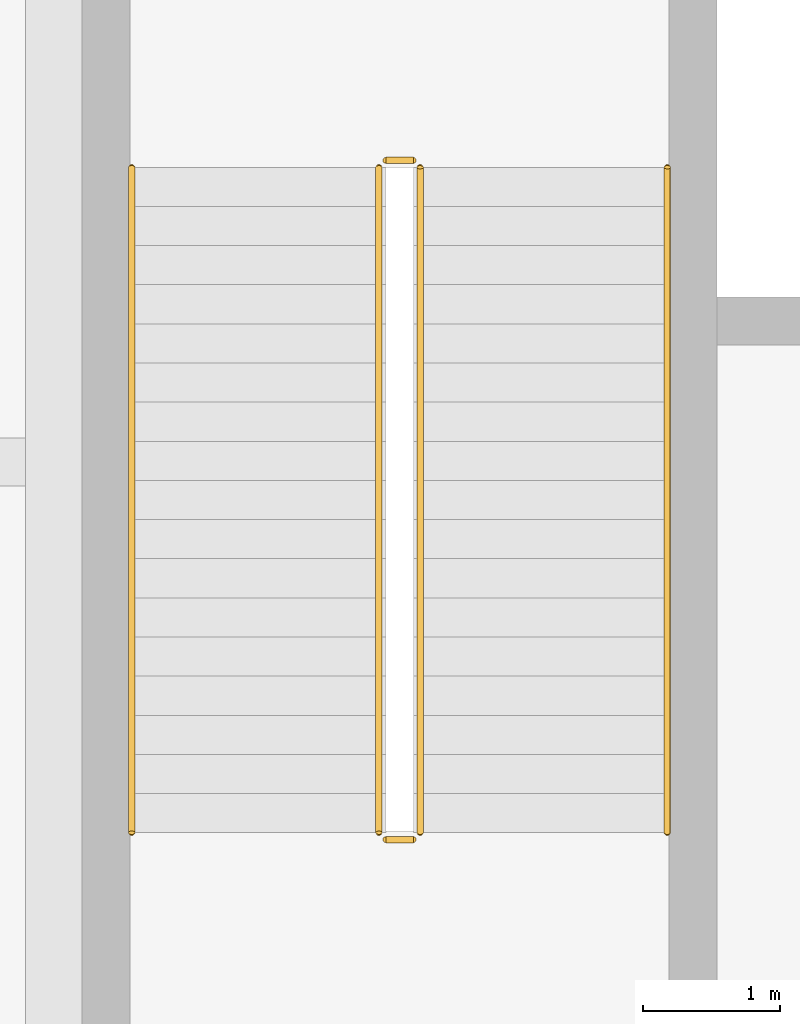
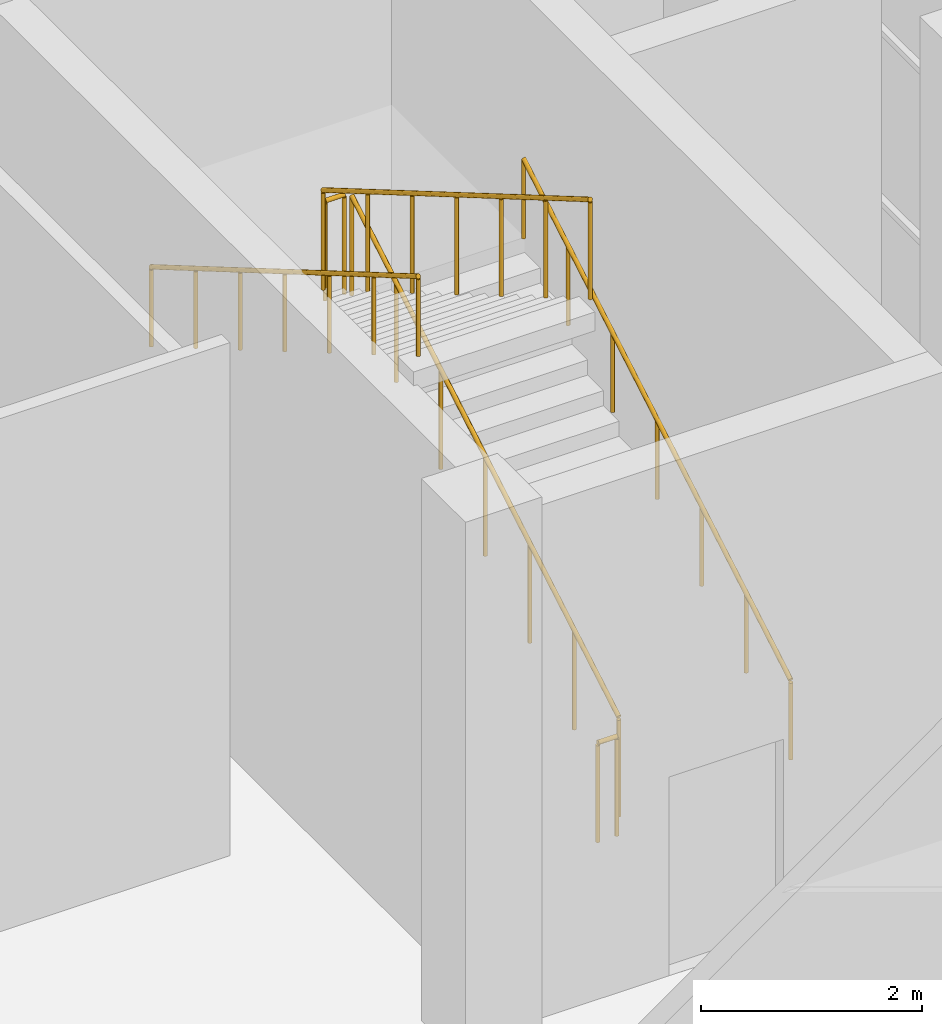
# One storey, part 84 of 84: 6 railings.
"""IFC4 building model written with IfcOpenShell, lengths in metres."""

from ifc_helpers import new_model, si_unit, direction, frame, origin, origin_2d, place, context, subcontext, project, spatial, circle, extrude, material, type_object, element, save


model = new_model("IFC4")

# Units and contexts
model_context = context("Model", 3, precision=1e-05, world=origin(), true_north=direction((0.0, 1.0)))
body_context = subcontext(model_context, "Body", "Model", "MODEL_VIEW")
ifc_project = project(units=[si_unit("LENGTHUNIT", "METRE"), si_unit("AREAUNIT", "SQUARE_METRE"), si_unit("VOLUMEUNIT", "CUBIC_METRE"), si_unit("PLANEANGLEUNIT", "RADIAN"), si_unit("MASSUNIT", "GRAM", prefix="KILO")], contexts=[model_context])

# Site, building, storey
site_placement = place(None, origin())
site = spatial("IfcSite", under=ifc_project, at=site_placement, CompositionType="ELEMENT")
building_placement = place(site_placement, origin())
building = spatial("IfcBuilding", under=site, at=building_placement, Name="Shalvenor Court Art Gallery", CompositionType="ELEMENT")
storey_placement = place(building_placement, origin())
storey = spatial("IfcBuildingStorey", under=building, at=storey_placement, Name="L00", CompositionType="ELEMENT", Elevation=0.0)

# Railings
ifc_material_1 = material(Name="Painted steel post-and-rail guard", Category="steel")
railing_type_1 = type_object("IfcRailingType", Name="GR-02", PredefinedType="GUARDRAIL", material=ifc_material_1)
railing_1_placement = place(storey_placement, frame((170.64990234375, 81.300048828125, 0.166748046875)))
element("IfcRailing", 1, at=railing_1_placement, inside=storey, type_object=railing_type_1, Name="L00 ST-01 Stair Guard 1", PredefinedType="GUARDRAIL", context=body_context, shape_type="SweptSolid", body=[
    extrude(circle(Radius=0.02392578125, at=origin_2d()), frame((0.0, 0.0, 1.09619140625), z_axis=(0.0, 0.863234098208, 0.504803815052), x_axis=(-1.0, 0.0, 0.0)), (0.0, 0.0, 1.0), 5.612548828125),
    extrude(circle(Radius=0.02099609375, at=origin_2d()), origin(), (0.0, 0.0, 1.0), 1.072021484375),
    extrude(circle(Radius=0.02099609375, at=origin_2d()), frame((0.0, 0.8076171875, 0.47216796875)), (0.0, 0.0, 1.0), 1.072021484375),
    extrude(circle(Radius=0.02099609375, at=origin_2d()), frame((0.0, 1.614990234375, 0.9443359375)), (0.0, 0.0, 1.0), 1.072021484375),
    extrude(circle(Radius=0.02099609375, at=origin_2d()), frame((0.0, 2.42236328125, 1.41650390625)), (0.0, 0.0, 1.0), 1.072021484375),
    extrude(circle(Radius=0.02099609375, at=origin_2d()), frame((0.0, 3.22998046875, 1.888916015625)), (0.0, 0.0, 1.0), 1.072021484375),
    extrude(circle(Radius=0.02099609375, at=origin_2d()), frame((0.0, 4.03759765625, 2.361083984375)), (0.0, 0.0, 1.0), 1.072021484375),
    extrude(circle(Radius=0.02099609375, at=origin_2d()), frame((0.0, 4.844970703125, 2.833251953125)), (0.0, 0.0, 1.0), 1.072021484375),
])
railing_2_placement = place(storey_placement, frame((170.60009765625, 86.195068359375, 3.0)))
element("IfcRailing", 2, at=railing_2_placement, inside=storey, type_object=railing_type_1, Name="L00 ST-01 Stair Guard 2", PredefinedType="GUARDRAIL", context=body_context, shape_type="SweptSolid", body=[
    extrude(circle(Radius=0.02392578125, at=origin_2d()), frame((0.0, 0.0, 1.09619140625), z_axis=(-1.0, 0.0, 0.0), x_axis=(0.0, -1.0, 0.0)), (0.0, 0.0, 1.0), 0.2001953125),
    extrude(circle(Radius=0.02099609375, at=origin_2d()), origin(), (0.0, 0.0, 1.0), 1.072021484375),
    extrude(circle(Radius=0.02099609375, at=origin_2d()), frame((-0.2001953125, 0.0, 0.0)), (0.0, 0.0, 1.0), 1.072021484375),
])
railing_3_placement = place(storey_placement, frame((170.35009765625, 86.14501953125, 3.166748046875)))
element("IfcRailing", 3, at=railing_3_placement, inside=storey, type_object=railing_type_1, Name="L00 ST-01 Stair Guard 3", PredefinedType="GUARDRAIL", context=body_context, shape_type="SweptSolid", body=[
    extrude(circle(Radius=0.02392578125, at=origin_2d()), frame((0.0, 0.0, 1.09619140625), z_axis=(0.0, -0.863234098208, 0.504803815052), x_axis=(1.0, 0.0, 0.0)), (0.0, 0.0, 1.0), 5.612548828125),
    extrude(circle(Radius=0.02099609375, at=origin_2d()), origin(), (0.0, 0.0, 1.0), 1.072021484375),
    extrude(circle(Radius=0.02099609375, at=origin_2d()), frame((0.0, -0.8076171875, 0.47216796875)), (0.0, 0.0, 1.0), 1.072021484375),
    extrude(circle(Radius=0.02099609375, at=origin_2d()), frame((0.0, -1.614990234375, 0.9443359375)), (0.0, 0.0, 1.0), 1.072021484375),
    extrude(circle(Radius=0.02099609375, at=origin_2d()), frame((0.0, -2.42236328125, 1.41650390625)), (0.0, 0.0, 1.0), 1.072021484375),
    extrude(circle(Radius=0.02099609375, at=origin_2d()), frame((0.0, -3.22998046875, 1.888916015625)), (0.0, 0.0, 1.0), 1.072021484375),
    extrude(circle(Radius=0.02099609375, at=origin_2d()), frame((0.0, -4.03759765625, 2.361083984375)), (0.0, 0.0, 1.0), 1.072021484375),
    extrude(circle(Radius=0.02099609375, at=origin_2d()), frame((0.0, -4.844970703125, 2.833251953125)), (0.0, 0.0, 1.0), 1.072021484375),
])
railing_4_placement = place(storey_placement, frame((170.60009765625, 81.25, 0.0)))
element("IfcRailing", 4, at=railing_4_placement, inside=storey, type_object=railing_type_1, Name="L00 ST-01 Stair Guard 4", PredefinedType="GUARDRAIL", context=body_context, shape_type="SweptSolid", body=[
    extrude(circle(Radius=0.02392578125, at=origin_2d()), frame((0.0, 0.0, 1.09619140625), z_axis=(-1.0, 0.0, 0.0), x_axis=(0.0, -1.0, 0.0)), (0.0, 0.0, 1.0), 0.2001953125),
    extrude(circle(Radius=0.02099609375, at=origin_2d()), origin(), (0.0, 0.0, 1.0), 1.072021484375),
    extrude(circle(Radius=0.02099609375, at=origin_2d()), frame((-0.2001953125, 0.0, 0.0)), (0.0, 0.0, 1.0), 1.072021484375),
])
ifc_material_2 = material(Name="Brushed stainless steel handrail", Category="steel")
railing_type_2 = type_object("IfcRailingType", Name="HR-01", PredefinedType="HANDRAIL", material=ifc_material_2)
railing_5_placement = place(storey_placement, frame((172.449951171875, 81.300048828125, 0.166748046875)))
element("IfcRailing", 5, at=railing_5_placement, inside=storey, type_object=railing_type_2, Name="L00 ST-01 Stair Handrail 1", PredefinedType="HANDRAIL", context=body_context, shape_type="SweptSolid", body=[
    extrude(circle(Radius=0.02392578125, at=origin_2d()), frame((0.0, 0.0, 0.8759765625), z_axis=(0.0, 0.863234098208, 0.504803815052), x_axis=(-1.0, 0.0, 0.0)), (0.0, 0.0, 1.0), 5.612548828125),
    extrude(circle(Radius=0.02099609375, at=origin_2d()), origin(), (0.0, 0.0, 1.0), 0.851806640625),
    extrude(circle(Radius=0.02099609375, at=origin_2d()), frame((0.0, 0.8076171875, 0.47216796875)), (0.0, 0.0, 1.0), 0.851806640625),
    extrude(circle(Radius=0.02099609375, at=origin_2d()), frame((0.0, 1.614990234375, 0.9443359375)), (0.0, 0.0, 1.0), 0.851806640625),
    extrude(circle(Radius=0.02099609375, at=origin_2d()), frame((0.0, 2.42236328125, 1.41650390625)), (0.0, 0.0, 1.0), 0.851806640625),
    extrude(circle(Radius=0.02099609375, at=origin_2d()), frame((0.0, 3.22998046875, 1.888916015625)), (0.0, 0.0, 1.0), 0.851806640625),
    extrude(circle(Radius=0.02099609375, at=origin_2d()), frame((0.0, 4.03759765625, 2.361083984375)), (0.0, 0.0, 1.0), 0.851806640625),
    extrude(circle(Radius=0.02099609375, at=origin_2d()), frame((0.0, 4.844970703125, 2.833251953125)), (0.0, 0.0, 1.0), 0.851806640625),
])
railing_6_placement = place(storey_placement, frame((168.550048828125, 86.14501953125, 3.166748046875)))
element("IfcRailing", 6, at=railing_6_placement, inside=storey, type_object=railing_type_2, Name="L00 ST-01 Stair Handrail 2", PredefinedType="HANDRAIL", context=body_context, shape_type="SweptSolid", body=[
    extrude(circle(Radius=0.02392578125, at=origin_2d()), frame((0.0, 0.0, 0.8759765625), z_axis=(0.0, -0.863234098208, 0.504803815052), x_axis=(1.0, 0.0, 0.0)), (0.0, 0.0, 1.0), 5.612548828125),
    extrude(circle(Radius=0.02099609375, at=origin_2d()), origin(), (0.0, 0.0, 1.0), 0.851806640625),
    extrude(circle(Radius=0.02099609375, at=origin_2d()), frame((0.0, -0.8076171875, 0.47216796875)), (0.0, 0.0, 1.0), 0.851806640625),
    extrude(circle(Radius=0.02099609375, at=origin_2d()), frame((0.0, -1.614990234375, 0.9443359375)), (0.0, 0.0, 1.0), 0.851806640625),
    extrude(circle(Radius=0.02099609375, at=origin_2d()), frame((0.0, -2.42236328125, 1.41650390625)), (0.0, 0.0, 1.0), 0.851806640625),
    extrude(circle(Radius=0.02099609375, at=origin_2d()), frame((0.0, -3.22998046875, 1.888916015625)), (0.0, 0.0, 1.0), 0.851806640625),
    extrude(circle(Radius=0.02099609375, at=origin_2d()), frame((0.0, -4.03759765625, 2.361083984375)), (0.0, 0.0, 1.0), 0.851806640625),
    extrude(circle(Radius=0.02099609375, at=origin_2d()), frame((0.0, -4.844970703125, 2.833251953125)), (0.0, 0.0, 1.0), 0.851806640625),
])

save(model, "model.ifc")
